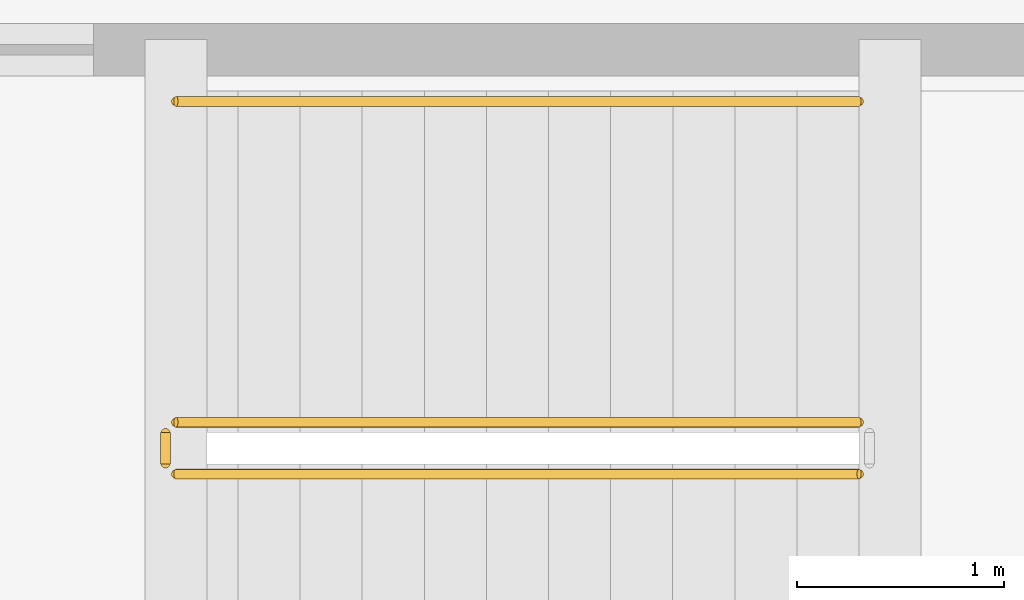
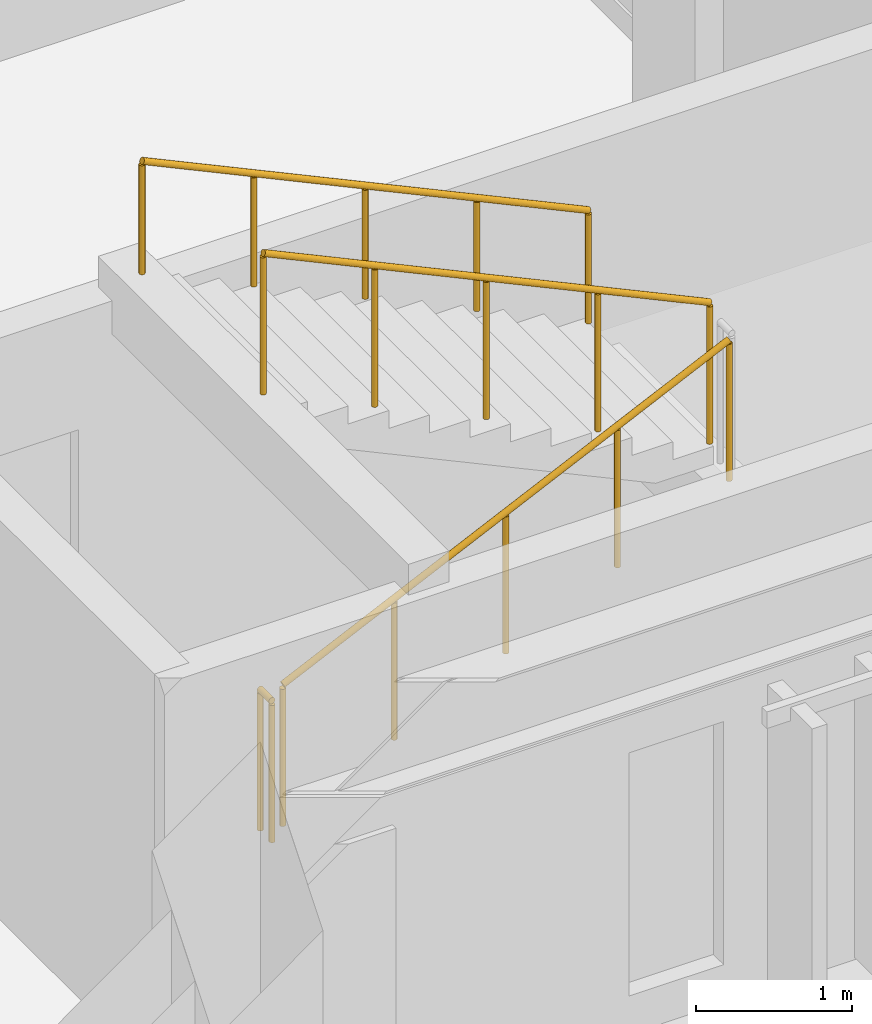
# One storey, part 104 of 123: 4 railings.
"""IFC4 building model written with IfcOpenShell, lengths in metres."""

from ifc_helpers import new_model, si_unit, direction, frame, origin, origin_2d, place, context, subcontext, project, spatial, circle, extrude, material, type_object, element, save


model = new_model("IFC4")

# Units and contexts
model_context = context("Model", 3, precision=1e-05, world=origin(), true_north=direction((0.0, 1.0)))
body_context = subcontext(model_context, "Body", "Model", "MODEL_VIEW")
ifc_project = project(units=[si_unit("LENGTHUNIT", "METRE"), si_unit("AREAUNIT", "SQUARE_METRE"), si_unit("VOLUMEUNIT", "CUBIC_METRE"), si_unit("PLANEANGLEUNIT", "RADIAN"), si_unit("MASSUNIT", "GRAM", prefix="KILO")], contexts=[model_context])

# Site, building, storey
site_placement = place(None, origin())
site = spatial("IfcSite", under=ifc_project, at=site_placement, CompositionType="ELEMENT")
building_placement = place(site_placement, origin())
building = spatial("IfcBuilding", under=site, at=building_placement, Name="Cumbredor Promenade Congress Hotel", CompositionType="ELEMENT")
storey_placement = place(building_placement, frame((0.0, 0.0, 11.760009765625)))
storey = spatial("IfcBuildingStorey", under=building, at=storey_placement, Name="L03", CompositionType="ELEMENT", Elevation=11.760009765625)

# Railings
ifc_material = material(Name="Brushed stainless steel", Category="steel")
railing_type_1 = type_object("IfcRailingType", Name="Interior Void & Stair Guardrail GR-1100", PredefinedType="GUARDRAIL", material=ifc_material)
railing_1_placement = place(storey_placement, frame((60.75, 11.199951171875, 0.139892578125)))
element("IfcRailing", 1, at=railing_1_placement, inside=storey, type_object=railing_type_1, Name="L03 ST-05 stair guard 1", PredefinedType="GUARDRAIL", context=body_context, shape_type="SweptSolid", body=[
    extrude(circle(Radius=0.02392578125, at=origin_2d()), frame((0.0, 0.0, 1.09619140625), z_axis=(0.906181427284, 0.0, 0.422889135408), x_axis=(0.0, 1.0, 0.0)), (0.0, 0.0, 1.0), 3.6416015625),
    extrude(circle(Radius=0.02099609375, at=origin_2d()), origin(), (0.0, 0.0, 1.0), 1.072021484375),
    extrude(circle(Radius=0.02099609375, at=origin_2d()), frame((0.824951171875, 0.0, 0.385009765625)), (0.0, 0.0, 1.0), 1.072021484375),
    extrude(circle(Radius=0.02099609375, at=origin_2d()), frame((1.64990234375, 0.0, 0.77001953125)), (0.0, 0.0, 1.0), 1.072021484375),
    extrude(circle(Radius=0.02099609375, at=origin_2d()), frame((2.47509765625, 0.0, 1.155029296875)), (0.0, 0.0, 1.0), 1.072021484375),
    extrude(circle(Radius=0.02099609375, at=origin_2d()), frame((3.300048828125, 0.0, 1.5400390625)), (0.0, 0.0, 1.0), 1.072021484375),
])
railing_2_placement = place(storey_placement, frame((64.050048828125, 11.449951171875, 1.820068359375)))
element("IfcRailing", 2, at=railing_2_placement, inside=storey, type_object=railing_type_1, Name="L03 ST-05 stair guard 3", PredefinedType="GUARDRAIL", context=body_context, shape_type="SweptSolid", body=[
    extrude(circle(Radius=0.02392578125, at=origin_2d()), frame((0.0, 0.0, 1.09619140625), z_axis=(-0.906181427284, 0.0, 0.422889135408), x_axis=(0.0, -1.0, 0.0)), (0.0, 0.0, 1.0), 3.6416015625),
    extrude(circle(Radius=0.02099609375, at=origin_2d()), origin(), (0.0, 0.0, 1.0), 1.072021484375),
    extrude(circle(Radius=0.02099609375, at=origin_2d()), frame((-0.824951171875, 0.0, 0.385009765625)), (0.0, 0.0, 1.0), 1.072021484375),
    extrude(circle(Radius=0.02099609375, at=origin_2d()), frame((-1.64990234375, 0.0, 0.77001953125)), (0.0, 0.0, 1.0), 1.072021484375),
    extrude(circle(Radius=0.02099609375, at=origin_2d()), frame((-2.47509765625, 0.0, 1.155029296875)), (0.0, 0.0, 1.0), 1.072021484375),
    extrude(circle(Radius=0.02099609375, at=origin_2d()), frame((-3.300048828125, 0.0, 1.5400390625)), (0.0, 0.0, 1.0), 1.072021484375),
])
railing_3_placement = place(storey_placement, frame((60.699951171875, 11.25, 0.0)))
element("IfcRailing", 3, at=railing_3_placement, inside=storey, type_object=railing_type_1, Name="L03 ST-05 stair guard 4", PredefinedType="GUARDRAIL", context=body_context, shape_type="SweptSolid", body=[
    extrude(circle(Radius=0.02392578125, at=origin_2d()), frame((0.0, 0.0, 1.09619140625), z_axis=(0.0, 1.0, 0.0), x_axis=(-1.0, 0.0, 0.0)), (0.0, 0.0, 1.0), 0.14990234375),
    extrude(circle(Radius=0.02099609375, at=origin_2d()), origin(), (0.0, 0.0, 1.0), 1.072021484375),
    extrude(circle(Radius=0.02099609375, at=origin_2d()), frame((0.0, 0.14990234375, 0.0)), (0.0, 0.0, 1.0), 1.072021484375),
])
railing_type_2 = type_object("IfcRailingType", Name="Stair Pitch Handrail HR-900", PredefinedType="HANDRAIL", material=ifc_material)
railing_4_placement = place(storey_placement, frame((64.050048828125, 13.0, 1.820068359375)))
element("IfcRailing", 4, at=railing_4_placement, inside=storey, type_object=railing_type_2, Name="L03 ST-05 stair handrail 2", PredefinedType="HANDRAIL", context=body_context, shape_type="SweptSolid", body=[
    extrude(circle(Radius=0.02392578125, at=origin_2d()), frame((0.0, 0.0, 0.8759765625), z_axis=(-0.906181427284, 0.0, 0.422889135408), x_axis=(0.0, -1.0, 0.0)), (0.0, 0.0, 1.0), 3.6416015625),
    extrude(circle(Radius=0.02099609375, at=origin_2d()), origin(), (0.0, 0.0, 1.0), 0.851806640625),
    extrude(circle(Radius=0.02099609375, at=origin_2d()), frame((-0.824951171875, 0.0, 0.385009765625)), (0.0, 0.0, 1.0), 0.851806640625),
    extrude(circle(Radius=0.02099609375, at=origin_2d()), frame((-1.64990234375, 0.0, 0.77001953125)), (0.0, 0.0, 1.0), 0.851806640625),
    extrude(circle(Radius=0.02099609375, at=origin_2d()), frame((-2.47509765625, 0.0, 1.155029296875)), (0.0, 0.0, 1.0), 0.851806640625),
    extrude(circle(Radius=0.02099609375, at=origin_2d()), frame((-3.300048828125, 0.0, 1.5400390625)), (0.0, 0.0, 1.0), 0.851806640625),
])

save(model, "model.ifc")
